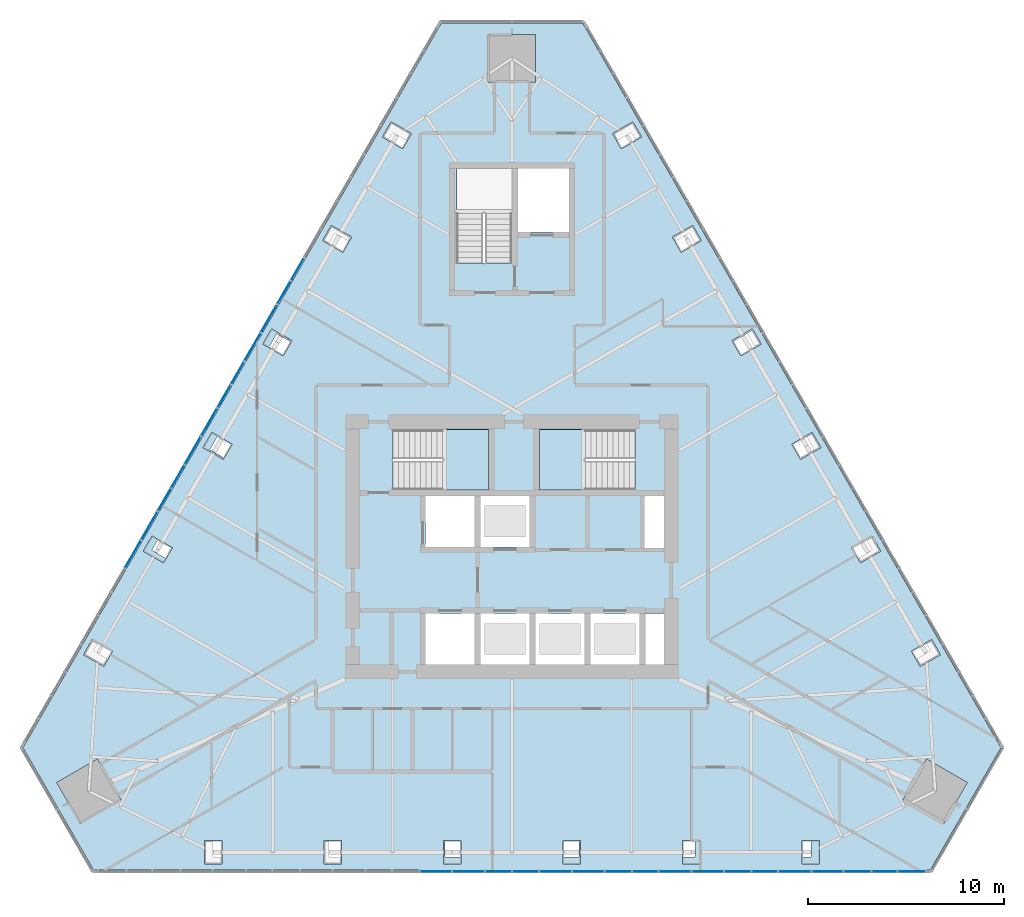
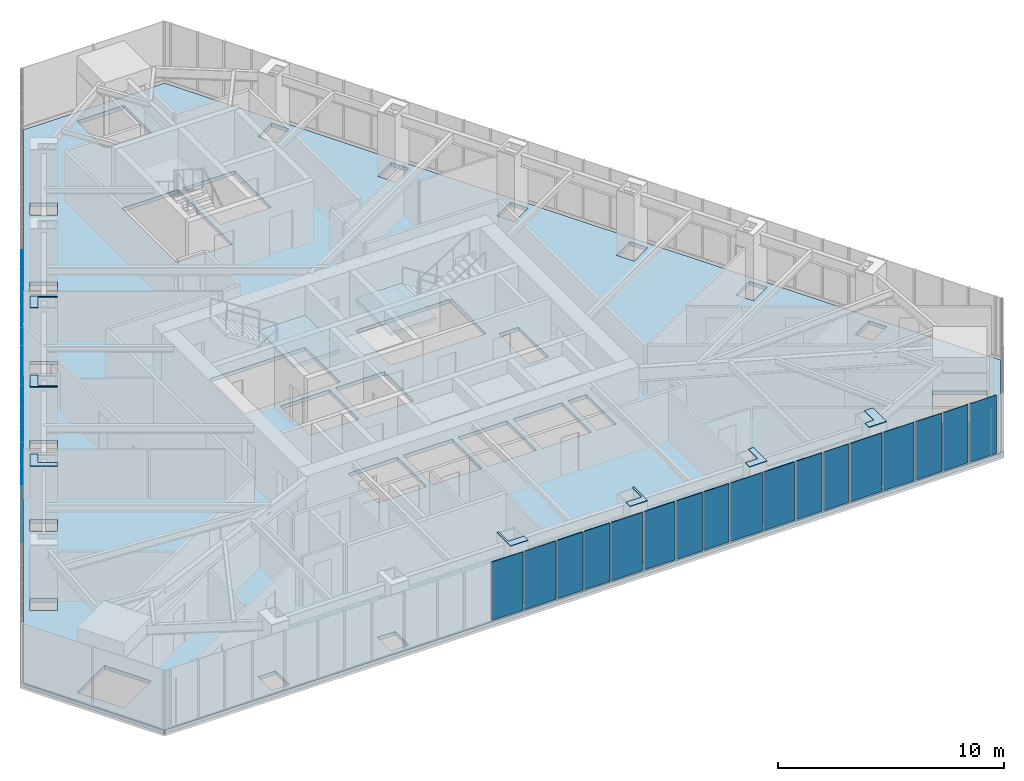
# One storey, part 11 of 20: 36 plates, 3 slabs, 4 elements without a shape of their own.
"""IFC4 building model written with IfcOpenShell, lengths in metres."""

from ifc_helpers import new_model, si_unit, direction, frame, origin, place, context, subcontext, project, spatial, polyline, outline, extrude, material, layer, layer_set, type_object, element, aggregate, save


model = new_model("IFC4")

# Units and contexts
model_context = context("Model", 3, precision=1e-05, world=origin(), true_north=direction((0.0, 1.0)))
body_context = subcontext(model_context, "Body", "Model", "MODEL_VIEW")
ifc_project = project(units=[si_unit("LENGTHUNIT", "METRE"), si_unit("AREAUNIT", "SQUARE_METRE"), si_unit("VOLUMEUNIT", "CUBIC_METRE"), si_unit("PLANEANGLEUNIT", "RADIAN"), si_unit("MASSUNIT", "GRAM", prefix="KILO")], contexts=[model_context])

# Site, building, storey
site_placement = place(None, origin())
site = spatial("IfcSite", under=ifc_project, at=site_placement, CompositionType="ELEMENT")
building_placement = place(site_placement, origin())
building = spatial("IfcBuilding", under=site, at=building_placement, Name="Firuza Gate Tower and Library", CompositionType="ELEMENT")
storey_placement = place(building_placement, frame((0.0, 0.0, 305.60009765625)))
storey = spatial("IfcBuildingStorey", under=building, at=storey_placement, Name="L74", CompositionType="ELEMENT", Elevation=305.60009765625)

# Plates
ifc_material_1 = material(Name="Steel S355", Category="steel")
ifc_layer_1 = layer(ifc_material_1, 0.030029296875)
ifc_layer_set_1 = layer_set([ifc_layer_1], Name="Column infill plate 30 Steel S355")
plate_type_1 = type_object("IfcPlateType", Name="Column infill plate 30 Steel S355", PredefinedType="SHEET", material=ifc_layer_set_1)
placement_1 = place(storey_placement, frame((0.0, 0.0, 3.5)))
element("IfcPlate", 1, at=placement_1, inside=storey, type_object=plate_type_1, Name="Infill plate L74:S3", PredefinedType="SHEET", context=body_context, shape_type="SweptSolid", body=[
    extrude(outline(polyline([(72.402099609375, 58.82470703125), (72.402099609375, 59.180419921875), (71.590087890625, 59.180419921875), (71.590087890625, 60.024658203125), (71.501953125, 60.024658203125), (71.501953125, 58.82470703125), (72.402099609375, 58.82470703125)])), origin(), (0.0, 0.0, 1.0), 0.02978515625),
])
element("IfcPlate", 2, at=placement_1, inside=storey, type_object=plate_type_1, Name="Infill plate L74:S4", PredefinedType="SHEET", context=body_context, shape_type="SweptSolid", body=[
    extrude(outline(polyline([(78.498046875, 60.024658203125), (78.409912109375, 60.024658203125), (78.409912109375, 59.180419921875), (77.597900390625, 59.180419921875), (77.597900390625, 58.82470703125), (78.498046875, 58.82470703125), (78.498046875, 60.024658203125)])), origin(), (0.0, 0.0, 1.0), 0.02978515625),
])
element("IfcPlate", 3, at=placement_1, inside=storey, type_object=plate_type_1, Name="Infill plate L74:S5", PredefinedType="SHEET", context=body_context, shape_type="SweptSolid", body=[
    extrude(outline(polyline([(84.593994140625, 60.024658203125), (84.330078125, 60.024658203125), (84.330078125, 59.180419921875), (83.694091796875, 59.180419921875), (83.694091796875, 58.82470703125), (84.593994140625, 58.82470703125), (84.593994140625, 60.024658203125)])), origin(), (0.0, 0.0, 1.0), 0.02978515625),
])
element("IfcPlate", 4, at=placement_1, inside=storey, type_object=plate_type_1, Name="Infill plate L74:S6", PredefinedType="SHEET", context=body_context, shape_type="SweptSolid", body=[
    extrude(outline(polyline([(90.68994140625, 60.024658203125), (90.25, 60.024658203125), (90.25, 59.180419921875), (89.7900390625, 59.180419921875), (89.7900390625, 58.82470703125), (90.68994140625, 58.82470703125), (90.68994140625, 60.024658203125)])), origin(), (0.0, 0.0, 1.0), 0.02978515625),
])
element("IfcPlate", 5, at=placement_1, inside=storey, type_object=plate_type_1, Name="Infill plate L74:W3", PredefinedType="SHEET", context=body_context, shape_type="SweptSolid", body=[
    extrude(outline(polyline([(62.290771484375, 85.337646484375), (62.598876953125, 85.15966796875), (63.0048828125, 85.863037109375), (63.736083984375, 85.440673828125), (63.780029296875, 85.51708984375), (62.74072265625, 86.116943359375), (62.290771484375, 85.337646484375)])), origin(), (0.0, 0.0, 1.0), 0.02978515625),
])
element("IfcPlate", 6, at=placement_1, inside=storey, type_object=plate_type_1, Name="Infill plate L74:W4", PredefinedType="SHEET", context=body_context, shape_type="SweptSolid", body=[
    extrude(outline(polyline([(60.281982421875, 79.458251953125), (60.325927734375, 79.534423828125), (59.5947265625, 79.95654296875), (60.000732421875, 80.659912109375), (59.69287109375, 80.837646484375), (59.242919921875, 80.058349609375), (60.281982421875, 79.458251953125)])), origin(), (0.0, 0.0, 1.0), 0.02978515625),
])
element("IfcPlate", 7, at=placement_1, inside=storey, type_object=plate_type_1, Name="Infill plate L74:W5", PredefinedType="SHEET", context=body_context, shape_type="SweptSolid", body=[
    extrude(outline(polyline([(57.234130859375, 74.178955078125), (57.365966796875, 74.40771484375), (56.634765625, 74.829833984375), (56.952880859375, 75.380615234375), (56.644775390625, 75.558349609375), (56.19482421875, 74.779052734375), (57.234130859375, 74.178955078125)])), origin(), (0.0, 0.0, 1.0), 0.02978515625),
])

# Slab
ifc_material_2 = material(Name="Concrete C40/50", Category="concrete")
ifc_layer_2 = layer(ifc_material_2, 0.199951171875)
ifc_layer_set_2 = layer_set([ifc_layer_2], Name="Composite floor slab 200 C40/50")
slab_type_1 = type_object("IfcSlabType", Name="Composite floor slab 200 C40/50", PredefinedType="FLOOR", material=ifc_layer_set_2)
slab_1_placement = place(storey_placement, frame((0.0, 0.0, -0.2001953125)))
element("IfcSlab", 8, at=slab_1_placement, inside=storey, type_object=slab_type_1, Name="Floor slab L74", PredefinedType="FLOOR", context=body_context, shape_type="SweptSolid", body=[
    extrude(outline(polyline([(50.06396484375, 64.760009765625), (53.6640625, 58.524658203125), (96.3359375, 58.524658203125), (99.93603515625, 64.760009765625), (78.60009765625, 101.715087890625), (71.39990234375, 101.715087890625), (50.06396484375, 64.760009765625)]), holes=[polyline([(59.31005859375, 58.82470703125), (59.31005859375, 60.024658203125), (60.2099609375, 60.024658203125), (60.2099609375, 58.82470703125), (59.31005859375, 58.82470703125)]), polyline([(65.406005859375, 58.82470703125), (65.406005859375, 60.024658203125), (66.305908203125, 60.024658203125), (66.305908203125, 58.82470703125), (65.406005859375, 58.82470703125)]), polyline([(71.501953125, 58.82470703125), (71.501953125, 60.024658203125), (72.402099609375, 60.024658203125), (72.402099609375, 58.82470703125), (71.501953125, 58.82470703125)]), polyline([(51.78369140625, 62.981689453125), (53.862060546875, 64.181640625), (55.06201171875, 62.103271484375), (52.983642578125, 60.903076171875), (51.78369140625, 62.981689453125)]), polyline([(53.596923828125, 70.279052734375), (54.635986328125, 69.67919921875), (54.18603515625, 68.899658203125), (53.146728515625, 69.499755859375), (53.596923828125, 70.279052734375)]), polyline([(73.10009765625, 69.0), (70.60009765625, 69.0), (70.60009765625, 71.60009765625), (73.10009765625, 71.60009765625), (73.10009765625, 69.0)]), polyline([(75.89990234375, 69.0), (73.39990234375, 69.0), (73.39990234375, 71.60009765625), (75.89990234375, 71.60009765625), (75.89990234375, 69.0)]), polyline([(56.644775390625, 75.558349609375), (57.68408203125, 74.95849609375), (57.234130859375, 74.178955078125), (56.19482421875, 74.779052734375), (56.644775390625, 75.558349609375)]), polyline([(73.10009765625, 75.0), (70.60009765625, 75.0), (70.60009765625, 77.60009765625), (73.10009765625, 77.60009765625), (73.10009765625, 75.0)]), polyline([(75.89990234375, 75.0), (73.39990234375, 75.0), (73.39990234375, 77.60009765625), (75.89990234375, 77.60009765625), (75.89990234375, 75.0)]), polyline([(68.9404296875, 77.89990234375), (68.9404296875, 80.97998046875), (73.81005859375, 80.97998046875), (73.81005859375, 77.89990234375), (68.9404296875, 77.89990234375)]), polyline([(59.69287109375, 80.837646484375), (60.73193359375, 80.23779296875), (60.281982421875, 79.458251953125), (59.242919921875, 80.058349609375), (59.69287109375, 80.837646484375)]), polyline([(62.74072265625, 86.116943359375), (63.780029296875, 85.51708984375), (63.330078125, 84.737548828125), (62.290771484375, 85.337646484375), (62.74072265625, 86.116943359375)]), polyline([(65.788818359375, 91.396240234375), (66.828125, 90.79638671875), (66.3779296875, 90.016845703125), (65.3388671875, 90.616943359375), (65.788818359375, 91.396240234375)]), polyline([(72.159912109375, 89.470458984375), (72.159912109375, 94.300048828125), (75.0, 94.300048828125), (75.0, 89.470458984375), (72.159912109375, 89.470458984375)]), polyline([(68.8369140625, 96.675537109375), (69.8759765625, 96.07568359375), (69.426025390625, 95.296142578125), (68.38671875, 95.896240234375), (68.8369140625, 96.675537109375)]), polyline([(76.199951171875, 101.115234375), (76.199951171875, 98.715087890625), (73.800048828125, 98.715087890625), (73.800048828125, 101.115234375), (76.199951171875, 101.115234375)]), polyline([(77.597900390625, 58.82470703125), (77.597900390625, 60.024658203125), (78.498046875, 60.024658203125), (78.498046875, 58.82470703125), (77.597900390625, 58.82470703125)]), polyline([(83.694091796875, 58.82470703125), (83.694091796875, 60.024658203125), (84.593994140625, 60.024658203125), (84.593994140625, 58.82470703125), (83.694091796875, 58.82470703125)]), polyline([(89.7900390625, 58.82470703125), (89.7900390625, 60.024658203125), (90.68994140625, 60.024658203125), (90.68994140625, 58.82470703125), (89.7900390625, 58.82470703125)]), polyline([(97.016357421875, 60.903076171875), (94.93798828125, 62.103271484375), (96.137939453125, 64.181640625), (98.21630859375, 62.981689453125), (97.016357421875, 60.903076171875)]), polyline([(96.853271484375, 69.499755859375), (95.81396484375, 68.899658203125), (95.364013671875, 69.67919921875), (96.403076171875, 70.279052734375), (96.853271484375, 69.499755859375)]), polyline([(78.699951171875, 69.0), (76.199951171875, 69.0), (76.199951171875, 71.60009765625), (78.699951171875, 71.60009765625), (78.699951171875, 69.0)]), polyline([(81.5, 69.0), (79.0, 69.0), (79.0, 71.60009765625), (81.5, 71.60009765625), (81.5, 69.0)]), polyline([(82.75, 69.0), (81.800048828125, 69.0), (81.800048828125, 71.60009765625), (82.75, 71.60009765625), (82.75, 69.0)]), polyline([(93.80517578125, 74.779052734375), (92.765869140625, 74.178955078125), (92.31591796875, 74.95849609375), (93.355224609375, 75.558349609375), (93.80517578125, 74.779052734375)]), polyline([(82.75, 74.949951171875), (81.75, 74.949951171875), (81.75, 77.60009765625), (82.75, 77.60009765625), (82.75, 74.949951171875)]), polyline([(81.259521484375, 80.97998046875), (81.259521484375, 77.89990234375), (76.389892578125, 77.89990234375), (76.389892578125, 80.97998046875), (81.259521484375, 80.97998046875)]), polyline([(90.757080078125, 80.058349609375), (89.718017578125, 79.458251953125), (89.26806640625, 80.23779296875), (90.30712890625, 80.837646484375), (90.757080078125, 80.058349609375)]), polyline([(87.709228515625, 85.337646484375), (86.669921875, 84.737548828125), (86.219970703125, 85.51708984375), (87.25927734375, 86.116943359375), (87.709228515625, 85.337646484375)]), polyline([(84.6611328125, 90.616943359375), (83.6220703125, 90.016845703125), (83.171875, 90.79638671875), (84.211181640625, 91.396240234375), (84.6611328125, 90.616943359375)]), polyline([(75.300048828125, 91.050048828125), (75.300048828125, 94.300048828125), (77.89990234375, 94.300048828125), (77.89990234375, 91.050048828125), (75.300048828125, 91.050048828125)]), polyline([(80.573974609375, 95.296142578125), (80.1240234375, 96.07568359375), (81.1630859375, 96.675537109375), (81.61328125, 95.896240234375), (80.573974609375, 95.296142578125)])]), origin(), (0.0, 0.0, 1.0), 0.2001953125),
])

# Curtain wall, plates
ifc_material_3 = material(Name="Aluminium 6063-T6", Category="aluminium")
ifc_layer_3 = layer(ifc_material_3, 0.14990234375)
ifc_layer_set_3 = layer_set([ifc_layer_3], Name="Unitised curtain wall, residences")
curtain_wall_type = type_object("IfcCurtainWallType", Name="Unitised curtain wall, residences", PredefinedType="NOTDEFINED", material=ifc_layer_set_3)
placement_2 = place(storey_placement, origin())
curtain_wall_1 = element("IfcCurtainWall", 9, at=placement_2, inside=storey, type_object=curtain_wall_type, Name="CW3 L74 S face", PredefinedType="NOTDEFINED")
ifc_material_4 = material(Name="Fritted glass", Category="glass")
ifc_layer_4 = layer(ifc_material_4, 0.030029296875)
ifc_layer_set_4 = layer_set([ifc_layer_4], Name="Fritted glass unit, residences")
plate_type_2 = type_object("IfcPlateType", Name="Fritted glass unit, residences", PredefinedType="CURTAIN_PANEL", material=ifc_layer_set_4)
plate_8_placement = place(storey_placement, frame((70.322509765625, 58.434814453125, 0.14990234375), z_axis=(0.0, -1.0, 0.0), x_axis=(1.0, 0.0, 0.0)))
plate_8 = element("IfcPlate", 10, at=plate_8_placement, type_object=plate_type_2, Name="Glass unit", PredefinedType="CURTAIN_PANEL", context=body_context, shape_type="SweptSolid", body=[
    extrude(outline(polyline([(0.0, 0.0), (1.583251953125, 0.0), (1.583251953125, 3.14990234375), (0.0, 3.14990234375), (0.0, 0.0)])), origin(), (0.0, 0.0, -1.0), 0.030029296875),
])
plate_9_placement = place(storey_placement, frame((71.98583984375, 58.434814453125, 0.14990234375), z_axis=(0.0, -1.0, 0.0), x_axis=(1.0, 0.0, 0.0)))
plate_9 = element("IfcPlate", 11, at=plate_9_placement, type_object=plate_type_2, Name="Glass unit", PredefinedType="CURTAIN_PANEL", context=body_context, shape_type="SweptSolid", body=[
    extrude(outline(polyline([(0.0, 0.0), (1.595458984375, 0.0), (1.595458984375, 3.14990234375), (0.0, 3.14990234375), (0.0, 0.0)])), origin(), (0.0, 0.0, -1.0), 0.030029296875),
])
plate_10_placement = place(storey_placement, frame((76.418701171875, 58.434814453125, 0.14990234375), z_axis=(0.0, -1.0, 0.0), x_axis=(1.0, 0.0, 0.0)))
plate_10 = element("IfcPlate", 12, at=plate_10_placement, type_object=plate_type_2, Name="Glass unit", PredefinedType="CURTAIN_PANEL", context=body_context, shape_type="SweptSolid", body=[
    extrude(outline(polyline([(0.0, 0.0), (1.595458984375, 0.0), (1.595458984375, 3.14990234375), (0.0, 3.14990234375), (0.0, 0.0)])), origin(), (0.0, 0.0, -1.0), 0.030029296875),
])
plate_11_placement = place(storey_placement, frame((78.09423828125, 58.434814453125, 0.14990234375), z_axis=(0.0, -1.0, 0.0), x_axis=(1.0, 0.0, 0.0)))
plate_11 = element("IfcPlate", 13, at=plate_11_placement, type_object=plate_type_2, Name="Glass unit", PredefinedType="CURTAIN_PANEL", context=body_context, shape_type="SweptSolid", body=[
    extrude(outline(polyline([(0.0, 0.0), (1.583251953125, 0.0), (1.583251953125, 3.14990234375), (0.0, 3.14990234375), (0.0, 0.0)])), origin(), (0.0, 0.0, -1.0), 0.030029296875),
])
plate_12_placement = place(storey_placement, frame((82.5146484375, 58.434814453125, 0.14990234375), z_axis=(0.0, -1.0, 0.0), x_axis=(1.0, 0.0, 0.0)))
plate_12 = element("IfcPlate", 14, at=plate_12_placement, type_object=plate_type_2, Name="Glass unit", PredefinedType="CURTAIN_PANEL", context=body_context, shape_type="SweptSolid", body=[
    extrude(outline(polyline([(0.0, 0.0), (1.60791015625, 0.0), (1.60791015625, 3.14990234375), (0.0, 3.14990234375), (0.0, 0.0)])), origin(), (0.0, 0.0, -1.0), 0.030029296875),
])
plate_13_placement = place(storey_placement, frame((84.20263671875, 58.434814453125, 0.14990234375), z_axis=(0.0, -1.0, 0.0), x_axis=(1.0, 0.0, 0.0)))
plate_13 = element("IfcPlate", 15, at=plate_13_placement, type_object=plate_type_2, Name="Glass unit", PredefinedType="CURTAIN_PANEL", context=body_context, shape_type="SweptSolid", body=[
    extrude(outline(polyline([(0.0, 0.0), (1.57080078125, 0.0), (1.57080078125, 3.14990234375), (0.0, 3.14990234375), (0.0, 0.0)])), origin(), (0.0, 0.0, -1.0), 0.030029296875),
])
plate_14_placement = place(storey_placement, frame((88.610595703125, 58.434814453125, 0.14990234375), z_axis=(0.0, -1.0, 0.0), x_axis=(1.0, 0.0, 0.0)))
plate_14 = element("IfcPlate", 16, at=plate_14_placement, type_object=plate_type_2, Name="Glass unit", PredefinedType="CURTAIN_PANEL", context=body_context, shape_type="SweptSolid", body=[
    extrude(outline(polyline([(0.0, 0.0), (1.620361328125, 0.0), (1.620361328125, 3.14990234375), (0.0, 3.14990234375), (0.0, 0.0)])), origin(), (0.0, 0.0, -1.0), 0.030029296875),
])
plate_15_placement = place(storey_placement, frame((90.31103515625, 58.434814453125, 0.14990234375), z_axis=(0.0, -1.0, 0.0), x_axis=(1.0, 0.0, 0.0)))
plate_15 = element("IfcPlate", 17, at=plate_15_placement, type_object=plate_type_2, Name="Glass unit", PredefinedType="CURTAIN_PANEL", context=body_context, shape_type="SweptSolid", body=[
    extrude(outline(polyline([(0.0, 0.0), (1.558349609375, 0.0), (1.558349609375, 3.14990234375), (0.0, 3.14990234375), (0.0, 0.0)])), origin(), (0.0, 0.0, -1.0), 0.030029296875),
])
plate_16_placement = place(storey_placement, frame((94.70654296875, 58.434814453125, 0.14990234375), z_axis=(0.0, -1.0, 0.0), x_axis=(1.0, 0.0, 0.0)))
plate_16 = element("IfcPlate", 18, at=plate_16_placement, type_object=plate_type_2, Name="Glass unit", PredefinedType="CURTAIN_PANEL", context=body_context, shape_type="SweptSolid", body=[
    extrude(outline(polyline([(0.0, 0.0), (1.36669921875, 0.0), (1.36669921875, 3.14990234375), (0.0, 3.14990234375), (0.0, 0.0)])), origin(), (0.0, 0.0, -1.0), 0.030029296875),
])

curtain_wall_2 = element("IfcCurtainWall", 19, at=placement_2, inside=storey, type_object=curtain_wall_type, Name="CW3 L74 W face", PredefinedType="NOTDEFINED")
plate_17_placement = place(storey_placement, frame((62.99267578125, 87.333251953125, 0.14990234375), z_axis=(-0.866052053466, 0.499953838557, 0.0), x_axis=(-0.499953838557, -0.866052053466, 0.0)))
plate_17 = element("IfcPlate", 20, at=plate_17_placement, type_object=plate_type_2, Name="Glass unit", PredefinedType="CURTAIN_PANEL", context=body_context, shape_type="SweptSolid", body=[
    extrude(outline(polyline([(0.0, 0.0), (1.5831539738440075, 0.0), (1.5831539738440075, 3.149902343750001), (0.0, 3.149902343750001), (0.0, 0.0)])), origin(), (0.0, 0.0, -1.0), 0.030029296875),
])
plate_18_placement = place(storey_placement, frame((62.1611328125, 85.89306640625, 0.14990234375), z_axis=(-0.866012320003, 0.50002266109, 0.0), x_axis=(-0.50002266109, -0.866012320003, 0.0)))
plate_18 = element("IfcPlate", 21, at=plate_18_placement, type_object=plate_type_2, Name="Glass unit", PredefinedType="CURTAIN_PANEL", context=body_context, shape_type="SweptSolid", body=[
    extrude(outline(polyline([(0.0, 0.0), (1.5956308075335583, 0.0), (1.5956308075335583, 3.1499023437499996), (0.0, 3.1499023437499996), (0.0, 0.0)])), origin(), (0.0, 0.0, -1.0), 0.030029296875),
])
plate_19_placement = place(storey_placement, frame((59.94482421875, 82.053955078125, 0.14990234375), z_axis=(-0.865974057503, 0.500088923824, 0.0), x_axis=(-0.500088923824, -0.865974057503, 0.0)))
plate_19 = element("IfcPlate", 22, at=plate_19_placement, type_object=plate_type_2, Name="Glass unit", PredefinedType="CURTAIN_PANEL", context=body_context, shape_type="SweptSolid", body=[
    extrude(outline(polyline([(0.0, 0.0), (1.5954193834149009, 0.0), (1.5954193834149009, 3.14990234375), (0.0, 3.14990234375), (0.0, 0.0)])), origin(), (0.0, 0.0, -1.0), 0.030029296875),
])
plate_20_placement = place(storey_placement, frame((59.10693359375, 80.60302734375, 0.14990234375), z_axis=(-0.866052053466, 0.499953838557, 0.0), x_axis=(-0.499953838557, -0.866052053466, 0.0)))
plate_20 = element("IfcPlate", 23, at=plate_20_placement, type_object=plate_type_2, Name="Glass unit", PredefinedType="CURTAIN_PANEL", context=body_context, shape_type="SweptSolid", body=[
    extrude(outline(polyline([(0.0, 0.0), (1.5831539738440075, 0.0), (1.5831539738440075, 3.149902343750001), (0.0, 3.149902343750001), (0.0, 0.0)])), origin(), (0.0, 0.0, -1.0), 0.030029296875),
])
plate_21_placement = place(storey_placement, frame((56.896728515625, 76.774658203125, 0.14990234375), z_axis=(-0.866000981109, 0.500042298929, 0.0), x_axis=(-0.500042298929, -0.866000981109, 0.0)))
plate_21 = element("IfcPlate", 24, at=plate_21_placement, type_object=plate_type_2, Name="Glass unit", PredefinedType="CURTAIN_PANEL", context=body_context, shape_type="SweptSolid", body=[
    extrude(outline(polyline([(0.0, 0.0), (1.607774142001462, 0.0), (1.607774142001462, 3.14990234375), (0.0, 3.14990234375), (0.0, 0.0)])), origin(), (0.0, 0.0, -1.0), 0.030029296875),
])
plate_22_placement = place(storey_placement, frame((56.052734375, 75.31298828125, 0.14990234375), z_axis=(-0.866025114386, 0.500000501253, 0.0), x_axis=(-0.500000501253, -0.866025114386, 0.0)))
plate_22 = element("IfcPlate", 25, at=plate_22_placement, type_object=plate_type_2, Name="Glass unit", PredefinedType="CURTAIN_PANEL", context=body_context, shape_type="SweptSolid", body=[
    extrude(outline(polyline([(0.0, 0.0), (1.5707992065156178, 0.0), (1.5707992065156178, 3.14990234375), (0.0, 3.14990234375), (0.0, 0.0)])), origin(), (0.0, 0.0, -1.0), 0.030029296875),
])

# Plate
ifc_material_5 = material(Name="Glazed ceramic tile")
ifc_layer_5 = layer(ifc_material_5, 0.030029296875)
ifc_layer_set_5 = layer_set([ifc_layer_5], Name="Opaque ceramic panel, residences")
plate_type_3 = type_object("IfcPlateType", Name="Opaque ceramic panel, residences", PredefinedType="CURTAIN_PANEL", material=ifc_layer_set_5)
plate_23_placement = place(storey_placement, frame((73.661376953125, 58.434814453125, 0.14990234375), z_axis=(0.0, -1.0, 0.0), x_axis=(1.0, 0.0, 0.0)))
plate_23 = element("IfcPlate", 26, at=plate_23_placement, type_object=plate_type_3, Name="Opaque ceramic panel", PredefinedType="CURTAIN_PANEL", context=body_context, shape_type="SweptSolid", body=[
    extrude(outline(polyline([(0.0, 0.0), (1.298583984375, 0.0), (1.298583984375, 3.14990234375), (0.0, 3.14990234375), (0.0, 0.0)])), origin(), (0.0, 0.0, -1.0), 0.030029296875),
])

plate_24_placement = place(storey_placement, frame((75.0400390625, 58.434814453125, 0.14990234375), z_axis=(0.0, -1.0, 0.0), x_axis=(1.0, 0.0, 0.0)))
plate_24 = element("IfcPlate", 27, at=plate_24_placement, type_object=plate_type_3, Name="Opaque ceramic panel", PredefinedType="CURTAIN_PANEL", context=body_context, shape_type="SweptSolid", body=[
    extrude(outline(polyline([(0.0, 0.0), (1.298583984375, 0.0), (1.298583984375, 3.14990234375), (0.0, 3.14990234375), (0.0, 0.0)])), origin(), (0.0, 0.0, -1.0), 0.030029296875),
])

plate_25_placement = place(storey_placement, frame((79.75732421875, 58.434814453125, 0.14990234375), z_axis=(0.0, -1.0, 0.0), x_axis=(1.0, 0.0, 0.0)))
plate_25 = element("IfcPlate", 28, at=plate_25_placement, type_object=plate_type_3, Name="Opaque ceramic panel", PredefinedType="CURTAIN_PANEL", context=body_context, shape_type="SweptSolid", body=[
    extrude(outline(polyline([(0.0, 0.0), (1.31103515625, 0.0), (1.31103515625, 3.14990234375), (0.0, 3.14990234375), (0.0, 0.0)])), origin(), (0.0, 0.0, -1.0), 0.030029296875),
])

plate_26_placement = place(storey_placement, frame((81.1484375, 58.434814453125, 0.14990234375), z_axis=(0.0, -1.0, 0.0), x_axis=(1.0, 0.0, 0.0)))
plate_26 = element("IfcPlate", 29, at=plate_26_placement, type_object=plate_type_3, Name="Opaque ceramic panel", PredefinedType="CURTAIN_PANEL", context=body_context, shape_type="SweptSolid", body=[
    extrude(outline(polyline([(0.0, 0.0), (1.2861328125, 0.0), (1.2861328125, 3.14990234375), (0.0, 3.14990234375), (0.0, 0.0)])), origin(), (0.0, 0.0, -1.0), 0.030029296875),
])

plate_27_placement = place(storey_placement, frame((85.853271484375, 58.434814453125, 0.14990234375), z_axis=(0.0, -1.0, 0.0), x_axis=(1.0, 0.0, 0.0)))
plate_27 = element("IfcPlate", 30, at=plate_27_placement, type_object=plate_type_3, Name="Opaque ceramic panel", PredefinedType="CURTAIN_PANEL", context=body_context, shape_type="SweptSolid", body=[
    extrude(outline(polyline([(0.0, 0.0), (1.323486328125, 0.0), (1.323486328125, 3.14990234375), (0.0, 3.14990234375), (0.0, 0.0)])), origin(), (0.0, 0.0, -1.0), 0.030029296875),
])

plate_28_placement = place(storey_placement, frame((87.2568359375, 58.434814453125, 0.14990234375), z_axis=(0.0, -1.0, 0.0), x_axis=(1.0, 0.0, 0.0)))
plate_28 = element("IfcPlate", 31, at=plate_28_placement, type_object=plate_type_3, Name="Opaque ceramic panel", PredefinedType="CURTAIN_PANEL", context=body_context, shape_type="SweptSolid", body=[
    extrude(outline(polyline([(0.0, 0.0), (1.273681640625, 0.0), (1.273681640625, 3.14990234375), (0.0, 3.14990234375), (0.0, 0.0)])), origin(), (0.0, 0.0, -1.0), 0.030029296875),
])

plate_29_placement = place(storey_placement, frame((91.949462890625, 58.434814453125, 0.14990234375), z_axis=(0.0, -1.0, 0.0), x_axis=(1.0, 0.0, 0.0)))
plate_29 = element("IfcPlate", 32, at=plate_29_placement, type_object=plate_type_3, Name="Opaque ceramic panel", PredefinedType="CURTAIN_PANEL", context=body_context, shape_type="SweptSolid", body=[
    extrude(outline(polyline([(0.0, 0.0), (1.335693359375, 0.0), (1.335693359375, 3.14990234375), (0.0, 3.14990234375), (0.0, 0.0)])), origin(), (0.0, 0.0, -1.0), 0.030029296875),
])

plate_30_placement = place(storey_placement, frame((93.365234375, 58.434814453125, 0.14990234375), z_axis=(0.0, -1.0, 0.0), x_axis=(1.0, 0.0, 0.0)))
plate_30 = element("IfcPlate", 33, at=plate_30_placement, type_object=plate_type_3, Name="Opaque ceramic panel", PredefinedType="CURTAIN_PANEL", context=body_context, shape_type="SweptSolid", body=[
    extrude(outline(polyline([(0.0, 0.0), (1.261474609375, 0.0), (1.261474609375, 3.14990234375), (0.0, 3.14990234375), (0.0, 0.0)])), origin(), (0.0, 0.0, -1.0), 0.030029296875),
])

aggregate(curtain_wall_1, [plate_8, plate_9, plate_23, plate_24, plate_10, plate_11, plate_25, plate_26, plate_12, plate_13, plate_27, plate_28, plate_14, plate_15, plate_29, plate_30, plate_16])

plate_31_placement = place(storey_placement, frame((64.371337890625, 89.72119140625, 0.14990234375), z_axis=(-0.866062325935, 0.499936043505, 0.0), x_axis=(-0.499936043505, -0.866062325935, 0.0)))
plate_31 = element("IfcPlate", 34, at=plate_31_placement, type_object=plate_type_3, Name="Opaque ceramic panel", PredefinedType="CURTAIN_PANEL", context=body_context, shape_type="SweptSolid", body=[
    extrude(outline(polyline([(0.0, 0.0), (1.286297346639458, 0.0), (1.286297346639458, 3.14990234375), (0.0, 3.14990234375), (0.0, 0.0)])), origin(), (0.0, 0.0, -1.0), 0.030029296875),
])

plate_32_placement = place(storey_placement, frame((63.688232421875, 88.5380859375, 0.14990234375), z_axis=(-0.866046052485, 0.499964233696, 0.0), x_axis=(-0.499964233696, -0.866046052485, 0.0)))
plate_32 = element("IfcPlate", 35, at=plate_32_placement, type_object=plate_type_3, Name="Opaque ceramic panel", PredefinedType="CURTAIN_PANEL", context=body_context, shape_type="SweptSolid", body=[
    extrude(outline(polyline([(0.0, 0.0), (1.3111289447219925, 0.0), (1.3111289447219925, 3.149902343750001), (0.0, 3.149902343750001), (0.0, 0.0)])), origin(), (0.0, 0.0, -1.0), 0.030029296875),
])

plate_33_placement = place(storey_placement, frame((61.323486328125, 84.44189453125, 0.14990234375), z_axis=(-0.865966403178, 0.500102178127, 0.0), x_axis=(-0.500102178127, -0.865966403178, 0.0)))
plate_33 = element("IfcPlate", 36, at=plate_33_placement, type_object=plate_type_3, Name="Opaque ceramic panel", PredefinedType="CURTAIN_PANEL", context=body_context, shape_type="SweptSolid", body=[
    extrude(outline(polyline([(0.0, 0.0), (1.2985627555797343, 0.0), (1.2985627555797343, 3.14990234375), (0.0, 3.14990234375), (0.0, 0.0)])), origin(), (0.0, 0.0, -1.0), 0.030029296875),
])

plate_34_placement = place(storey_placement, frame((60.634033203125, 83.248046875, 0.14990234375), z_axis=(-0.866094808166, 0.499879768812, 0.0), x_axis=(-0.499879768812, -0.866094808166, 0.0)))
plate_34 = element("IfcPlate", 37, at=plate_34_placement, type_object=plate_type_3, Name="Opaque ceramic panel", PredefinedType="CURTAIN_PANEL", context=body_context, shape_type="SweptSolid", body=[
    extrude(outline(polyline([(0.0, 0.0), (1.2986521207257886, 0.0), (1.2986521207257886, 3.149902343749999), (0.0, 3.149902343749999), (0.0, 0.0)])), origin(), (0.0, 0.0, -1.0), 0.030029296875),
])

plate_35_placement = place(storey_placement, frame((58.275390625, 79.16259765625, 0.14990234375), z_axis=(-0.865999496279, 0.500044870432, 0.0), x_axis=(-0.500044870432, -0.865999496279, 0.0)))
plate_35 = element("IfcPlate", 38, at=plate_35_placement, type_object=plate_type_3, Name="Opaque ceramic panel", PredefinedType="CURTAIN_PANEL", context=body_context, shape_type="SweptSolid", body=[
    extrude(outline(polyline([(0.0, 0.0), (1.3109175133801323, 0.0), (1.3109175133801323, 3.14990234375), (0.0, 3.14990234375), (0.0, 0.0)])), origin(), (0.0, 0.0, -1.0), 0.030029296875),
])

plate_36_placement = place(storey_placement, frame((57.579833984375, 77.9580078125, 0.14990234375), z_axis=(-0.866062325935, 0.499936043505, 0.0), x_axis=(-0.499936043505, -0.866062325935, 0.0)))
plate_36 = element("IfcPlate", 39, at=plate_36_placement, type_object=plate_type_3, Name="Opaque ceramic panel", PredefinedType="CURTAIN_PANEL", context=body_context, shape_type="SweptSolid", body=[
    extrude(outline(polyline([(0.0, 0.0), (1.286297346639458, 0.0), (1.286297346639458, 3.14990234375), (0.0, 3.14990234375), (0.0, 0.0)])), origin(), (0.0, 0.0, -1.0), 0.030029296875),
])

aggregate(curtain_wall_2, [plate_31, plate_32, plate_17, plate_18, plate_33, plate_34, plate_19, plate_20, plate_35, plate_36, plate_21, plate_22])

# Stair, slab
ifc_material_6 = material(Name="Concrete C35/45", Category="concrete")
stair_type = type_object("IfcStairType", Name="Exit stair ST8", PredefinedType="HALF_TURN_STAIR", material=ifc_material_6)
stair_1 = element("IfcStair", 40, at=placement_2, inside=storey, type_object=stair_type, Name="L74 Stair ST1", PredefinedType="HALF_TURN_STAIR")
ifc_material_7 = material(Name="Concrete C35/45", Category="concrete")
ifc_layer_6 = layer(ifc_material_7, 0.199951171875)
ifc_layer_set_6 = layer_set([ifc_layer_6], Name="Stair landing 200")
slab_type_2 = type_object("IfcSlabType", Name="Stair landing 200", PredefinedType="LANDING", material=ifc_layer_set_6)
placement_3 = place(storey_placement, frame((0.0, 0.0, 1.5498046875)))
slab_2 = element("IfcSlab", 41, at=placement_3, type_object=slab_type_2, Name="ST1 landing 1", PredefinedType="LANDING", context=body_context, shape_type="SweptSolid", body=[
    extrude(outline(polyline([(71.4599609375, 77.89990234375), (73.81005859375, 77.89990234375), (73.81005859375, 80.97998046875), (71.4599609375, 80.97998046875), (71.4599609375, 77.89990234375)])), origin(), (0.0, 0.0, 1.0), 0.2001953125),
])
aggregate(stair_1, [slab_2])

stair_2 = element("IfcStair", 42, at=placement_2, inside=storey, type_object=stair_type, Name="L74 Stair ST2", PredefinedType="HALF_TURN_STAIR")
slab_3 = element("IfcSlab", 43, at=placement_3, type_object=slab_type_2, Name="ST2 landing 1", PredefinedType="LANDING", context=body_context, shape_type="SweptSolid", body=[
    extrude(outline(polyline([(78.739990234375, 80.97998046875), (76.389892578125, 80.97998046875), (76.389892578125, 77.89990234375), (78.739990234375, 77.89990234375), (78.739990234375, 80.97998046875)])), origin(), (0.0, 0.0, 1.0), 0.2001953125),
])
aggregate(stair_2, [slab_3])

save(model, "model.ifc")
